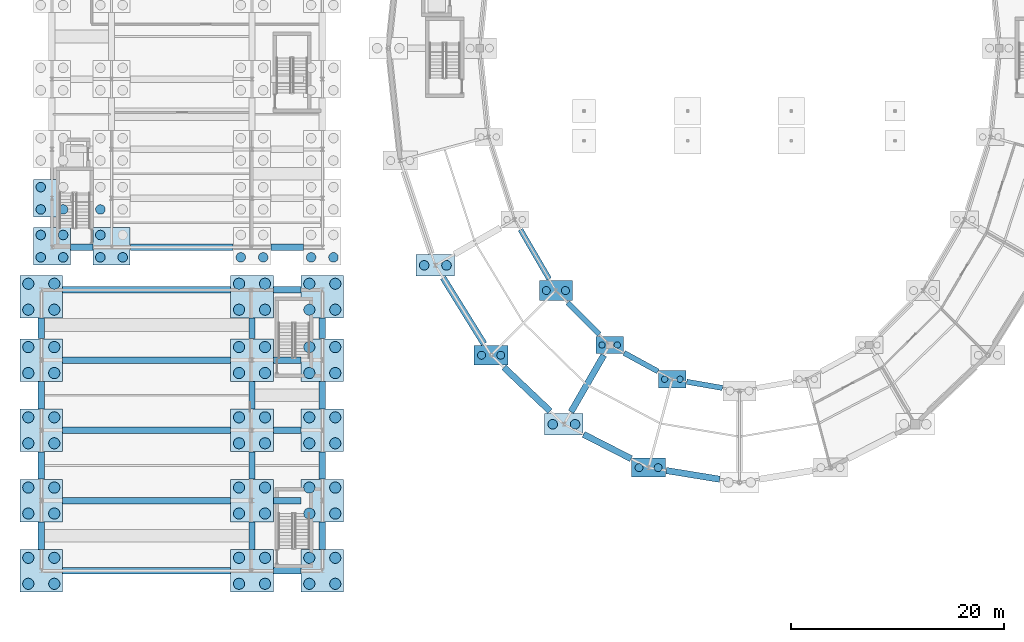
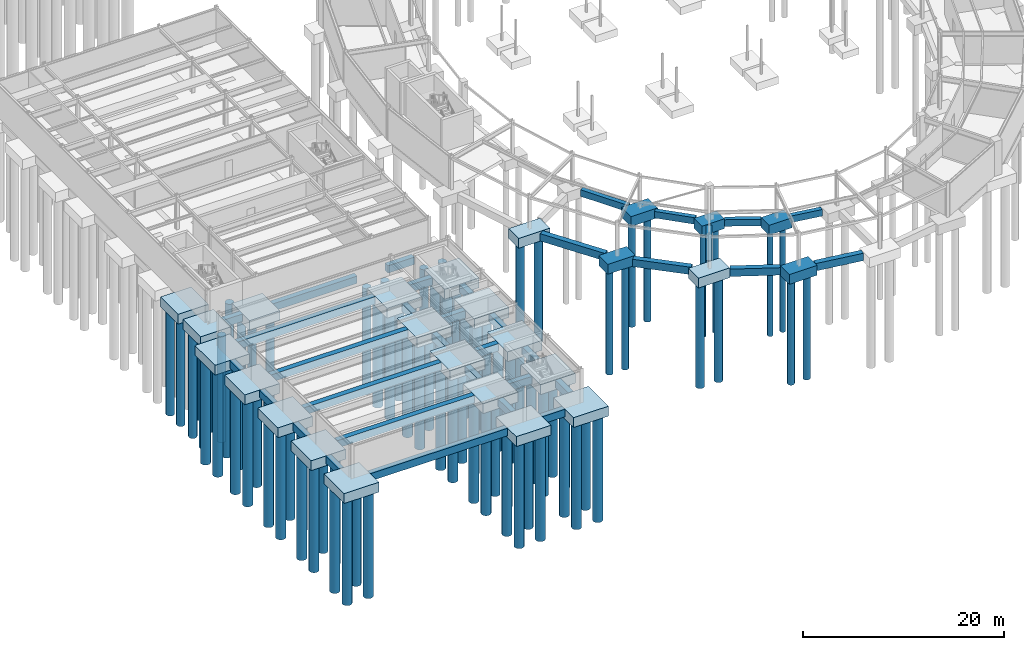
# One storey, part 1 of 58: 89 piles, 59 footings.
"""IFC4 building model written with IfcOpenShell, lengths in metres."""

from ifc_helpers import new_model, si_unit, direction, frame, origin, origin_2d, place, context, subcontext, project, spatial, rectangle, circle, extrude, material, material_profile, profile_set, type_object, element, save


model = new_model("IFC4")

# Units and contexts
model_context = context("Model", 3, precision=1e-05, world=origin(), true_north=direction((0.0, 1.0)))
body_context = subcontext(model_context, "Body", "Model", "MODEL_VIEW")
ifc_project = project(units=[si_unit("LENGTHUNIT", "METRE"), si_unit("AREAUNIT", "SQUARE_METRE"), si_unit("VOLUMEUNIT", "CUBIC_METRE"), si_unit("PLANEANGLEUNIT", "RADIAN"), si_unit("MASSUNIT", "GRAM", prefix="KILO")], contexts=[model_context])

# Site, building, storey
site_placement = place(None, origin())
site = spatial("IfcSite", under=ifc_project, at=site_placement, CompositionType="ELEMENT")
building_placement = place(site_placement, origin())
building = spatial("IfcBuilding", under=site, at=building_placement, Name="Karori Crest Natural Sciences Institute", CompositionType="ELEMENT")
storey_placement = place(building_placement, frame((0.0, 0.0, -4.199951171875)))
storey = spatial("IfcBuildingStorey", under=building, at=storey_placement, Name="B1", CompositionType="ELEMENT", Elevation=-4.199951171875)

# Footings
ifc_material = material(Name="Concrete 40 MPa", Category="concrete")
footing_type_1 = type_object("IfcFootingType", Name="FT-02", PredefinedType="PILE_CAP", material=ifc_material)
for number, where, z_axis, x_axis, name in (
    (1, (54.199951171875, 22.013916015625, -1.2001953125), (0.0, 0.0, 1.0), (1.0, 0.0, 0.0), "Pile cap PC-0034"),
    (2, (60.084716796875, 18.797119140625, -1.2001953125), (0.0, 0.0, 1.0), (1.0, 0.0, 0.0), "Pile cap PC-0036"),
):
    element("IfcFooting", number, at=place(storey_placement, frame(where, z_axis=z_axis, x_axis=x_axis)), inside=storey, type_object=footing_type_1, Name=name, PredefinedType="PILE_CAP", context=body_context, shape_type="SweptSolid", body=[
        extrude(rectangle(XDim=2.60009765625, YDim=1.60009765625, at=origin_2d()), origin(), (0.0, 0.0, 1.0), 1.199951171875),
    ])
footing_type_2 = type_object("IfcFootingType", Name="FT-03", PredefinedType="PILE_CAP", material=ifc_material)
footing_1_placement = place(storey_placement, frame((49.146484375, 27.131103515625, -1.2001953125), z_axis=(0.0, 0.0, 1.0), x_axis=(1.0, 0.0, 0.0)))
element("IfcFooting", 3, at=footing_1_placement, inside=storey, type_object=footing_type_2, Name="Pile cap PC-0032", PredefinedType="PILE_CAP", context=body_context, shape_type="SweptSolid", body=[
    extrude(rectangle(XDim=3.10009765625, YDim=1.89990234375, at=origin_2d()), origin(), (0.0, 0.0, 1.0), 1.199951171875),
])
footing_type_3 = type_object("IfcFootingType", Name="FT-04", PredefinedType="PILE_CAP", material=ifc_material)
for number, where, z_axis, x_axis, name in (
    (4, (1.800048828125, 31.300048828125, -1.2001953125), (0.0, 0.0, 1.0), (1.0, 0.0, 0.0), "Pile cap PC-0080"),
    (5, (1.800048828125, 35.800048828125, -1.2001953125), (0.0, 0.0, 1.0), (1.0, 0.0, 0.0), "Pile cap PC-0081"),
    (6, (7.39990234375, 31.300048828125, -1.2001953125), (0.0, 0.0, 1.0), (1.0, 0.0, 0.0), "Pile cap PC-0088"),
):
    element("IfcFooting", number, at=place(storey_placement, frame(where, z_axis=z_axis, x_axis=x_axis)), inside=storey, type_object=footing_type_3, Name=name, PredefinedType="PILE_CAP", context=body_context, shape_type="SweptSolid", body=[
        extrude(rectangle(XDim=3.5, YDim=3.5, at=origin_2d()), origin(), (0.0, 0.0, 1.0), 1.199951171875),
    ])
footing_type_4 = type_object("IfcFootingType", Name="FT-05", PredefinedType="PILE_CAP", material=ifc_material)
for number, where, z_axis, x_axis, name in (
    (7, (0.800048828125, 0.800048828125, -1.2001953125), (0.0, 0.0, 1.0), (1.0, 0.0, 0.0), "Pile cap PC-0065"),
    (8, (0.800048828125, 7.39990234375, -1.2001953125), (0.0, 0.0, 1.0), (1.0, 0.0, 0.0), "Pile cap PC-0066"),
    (9, (0.800048828125, 14.0, -1.2001953125), (0.0, 0.0, 1.0), (1.0, 0.0, 0.0), "Pile cap PC-0067"),
    (10, (0.800048828125, 20.60009765625, -1.2001953125), (0.0, 0.0, 1.0), (1.0, 0.0, 0.0), "Pile cap PC-0068"),
    (11, (0.800048828125, 26.550048828125, -1.2001953125), (0.0, 0.0, 1.0), (1.0, 0.0, 0.0), "Pile cap PC-0069"),
    (12, (20.60009765625, 0.800048828125, -1.2001953125), (0.0, 0.0, 1.0), (1.0, 0.0, 0.0), "Pile cap PC-0070"),
    (13, (20.60009765625, 7.39990234375, -1.2001953125), (0.0, 0.0, 1.0), (1.0, 0.0, 0.0), "Pile cap PC-0071"),
    (14, (20.60009765625, 14.0, -1.2001953125), (0.0, 0.0, 1.0), (1.0, 0.0, 0.0), "Pile cap PC-0072"),
    (15, (20.60009765625, 20.60009765625, -1.2001953125), (0.0, 0.0, 1.0), (1.0, 0.0, 0.0), "Pile cap PC-0073"),
    (16, (20.60009765625, 26.550048828125, -1.2001953125), (0.0, 0.0, 1.0), (1.0, 0.0, 0.0), "Pile cap PC-0074"),
    (17, (27.199951171875, 0.800048828125, -1.2001953125), (0.0, 0.0, 1.0), (1.0, 0.0, 0.0), "Pile cap PC-0075"),
    (18, (27.199951171875, 7.39990234375, -1.2001953125), (0.0, 0.0, 1.0), (1.0, 0.0, 0.0), "Pile cap PC-0076"),
    (19, (27.199951171875, 14.0, -1.2001953125), (0.0, 0.0, 1.0), (1.0, 0.0, 0.0), "Pile cap PC-0077"),
    (20, (27.199951171875, 20.60009765625, -1.2001953125), (0.0, 0.0, 1.0), (1.0, 0.0, 0.0), "Pile cap PC-0078"),
    (21, (27.199951171875, 26.550048828125, -1.2001953125), (0.0, 0.0, 1.0), (1.0, 0.0, 0.0), "Pile cap PC-0079"),
):
    element("IfcFooting", number, at=place(storey_placement, frame(where, z_axis=z_axis, x_axis=x_axis)), inside=storey, type_object=footing_type_4, Name=name, PredefinedType="PILE_CAP", context=body_context, shape_type="SweptSolid", body=[
        extrude(rectangle(XDim=4.0, YDim=4.0, at=origin_2d()), origin(), (0.0, 0.0, 1.0), 1.199951171875),
    ])
footing_type_5 = type_object("IfcFootingType", Name="FT-07", PredefinedType="PILE_CAP", material=ifc_material)
for number, where, z_axis, x_axis, name in (
    (22, (43.0654296875, 21.050048828125, -1.2001953125), (0.0, 0.0, 1.0), (1.0, 0.0, 0.0), "Pile cap PC-0031"),
    (23, (57.85888671875, 10.490234375, -1.2001953125), (0.0, 0.0, 1.0), (1.0, 0.0, 0.0), "Pile cap PC-0035"),
):
    element("IfcFooting", number, at=place(storey_placement, frame(where, z_axis=z_axis, x_axis=x_axis)), inside=storey, type_object=footing_type_5, Name=name, PredefinedType="PILE_CAP", context=body_context, shape_type="SweptSolid", body=[
        extrude(rectangle(XDim=3.199951171875, YDim=1.800048828125, at=origin_2d()), origin(), (0.0, 0.0, 1.0), 1.199951171875),
    ])
footing_type_6 = type_object("IfcFootingType", Name="FT-08", PredefinedType="PILE_CAP", material=ifc_material)
for number, where, z_axis, x_axis, name in (
    (24, (37.8212890625, 29.5, -1.2001953125), (0.0, 0.0, 1.0), (1.0, 0.0, 0.0), "Pile cap PC-0029"),
    (25, (49.89990234375, 14.566162109375, -1.2001953125), (0.0, 0.0, 1.0), (1.0, 0.0, 0.0), "Pile cap PC-0033"),
):
    element("IfcFooting", number, at=place(storey_placement, frame(where, z_axis=z_axis, x_axis=x_axis)), inside=storey, type_object=footing_type_6, Name=name, PredefinedType="PILE_CAP", context=body_context, shape_type="SweptSolid", body=[
        extrude(rectangle(XDim=3.60009765625, YDim=2.0, at=origin_2d()), origin(), (0.0, 0.0, 1.0), 1.199951171875),
    ])
footing_type_7 = type_object("IfcFootingType", Name="FT-16", PredefinedType="FOOTING_BEAM", material=ifc_material)
footing_2_placement = place(storey_placement, frame((40.474365234375, 25.22509765625, -0.89990234375), z_axis=(0.0, 0.0, 1.0), x_axis=(-0.527325098025, 0.849663604606, 0.0)))
element("IfcFooting", 26, at=footing_2_placement, inside=storey, type_object=footing_type_7, Name="Ground beam FB-0036", PredefinedType="FOOTING_BEAM", context=body_context, shape_type="SweptSolid", body=[
    extrude(rectangle(XDim=7.31005859375, YDim=0.60009765625, at=origin_2d()), origin(), (0.0, 0.0, 1.0), 0.89990234375),
])
footing_3_placement = place(storey_placement, frame((46.429931640625, 17.858154296875, -0.89990234375), z_axis=(0.0, 0.0, 1.0), x_axis=(-0.725475281268, 0.688248222859, 0.0)))
element("IfcFooting", 27, at=footing_3_placement, inside=storey, type_object=footing_type_7, Name="Ground beam FB-0039", PredefinedType="FOOTING_BEAM", context=body_context, shape_type="SweptSolid", body=[
    extrude(rectangle(XDim=5.996826171875, YDim=0.60009765625, at=origin_2d()), origin(), (0.0, 0.0, 1.0), 0.89990234375),
])
footing_4_placement = place(storey_placement, frame((53.9794921875, 12.47705078125, -0.89990234375), z_axis=(0.0, 0.0, 1.0), x_axis=(-0.890068851465, 0.455826106813, 0.0)))
element("IfcFooting", 28, at=footing_4_placement, inside=storey, type_object=footing_type_7, Name="Ground beam FB-0041", PredefinedType="FOOTING_BEAM", context=body_context, shape_type="SweptSolid", body=[
    extrude(rectangle(XDim=5.024169921875, YDim=0.60009765625, at=origin_2d()), origin(), (0.0, 0.0, 1.0), 0.89990234375),
])
footing_5_placement = place(storey_placement, frame((52.107666015625, 18.39013671875, -0.89990234375), z_axis=(0.0, 0.0, 1.0), x_axis=(0.500001511499, 0.866024531118, 0.0)))
element("IfcFooting", 29, at=footing_5_placement, inside=storey, type_object=footing_type_7, Name="Ground beam FB-0043", PredefinedType="FOOTING_BEAM", context=body_context, shape_type="SweptSolid", body=[
    extrude(rectangle(XDim=6.14306640625, YDim=0.60009765625, at=origin_2d()), origin(), (0.0, 0.0, 1.0), 0.89990234375),
])
footing_6_placement = place(storey_placement, frame((62.029541015625, 9.811279296875, -0.89990234375), z_axis=(0.0, 0.0, 1.0), x_axis=(-0.987010951028, 0.160652987993, 0.0)))
element("IfcFooting", 30, at=footing_6_placement, inside=storey, type_object=footing_type_7, Name="Ground beam FB-0044", PredefinedType="FOOTING_BEAM", context=body_context, shape_type="SweptSolid", body=[
    extrude(rectangle(XDim=5.09228515625, YDim=0.60009765625, at=origin_2d()), origin(), (0.0, 0.0, 1.0), 0.89990234375),
])
footing_7_placement = place(storey_placement, frame((10.695068359375, 0.800048828125, -0.89990234375), z_axis=(0.0, 0.0, 1.0), x_axis=(1.0, 0.0, 0.0)))
element("IfcFooting", 31, at=footing_7_placement, inside=storey, type_object=footing_type_7, Name="Ground beam FB-0061", PredefinedType="FOOTING_BEAM", context=body_context, shape_type="SweptSolid", body=[
    extrude(rectangle(XDim=15.77392578125, YDim=0.60009765625, at=origin_2d()), origin(), (0.0, 0.0, 1.0), 0.89990234375),
])
footing_8_placement = place(storey_placement, frame((0.800048828125, 4.10009765625, -0.89990234375), z_axis=(0.0, 0.0, 1.0), x_axis=(0.0, 1.0, 0.0)))
element("IfcFooting", 32, at=footing_8_placement, inside=storey, type_object=footing_type_7, Name="Ground beam FB-0062", PredefinedType="FOOTING_BEAM", context=body_context, shape_type="SweptSolid", body=[
    extrude(rectangle(XDim=2.583984375, YDim=0.60009765625, at=origin_2d()), origin(), (0.0, 0.0, 1.0), 0.89990234375),
])
footing_9_placement = place(storey_placement, frame((10.695068359375, 7.39990234375, -0.89990234375), z_axis=(0.0, 0.0, 1.0), x_axis=(1.0, 0.0, 0.0)))
element("IfcFooting", 33, at=footing_9_placement, inside=storey, type_object=footing_type_7, Name="Ground beam FB-0063", PredefinedType="FOOTING_BEAM", context=body_context, shape_type="SweptSolid", body=[
    extrude(rectangle(XDim=15.77392578125, YDim=0.60009765625, at=origin_2d()), origin(), (0.0, 0.0, 1.0), 0.89990234375),
])
footing_10_placement = place(storey_placement, frame((0.800048828125, 10.699951171875, -0.89990234375), z_axis=(0.0, 0.0, 1.0), x_axis=(0.0, 1.0, 0.0)))
element("IfcFooting", 34, at=footing_10_placement, inside=storey, type_object=footing_type_7, Name="Ground beam FB-0064", PredefinedType="FOOTING_BEAM", context=body_context, shape_type="SweptSolid", body=[
    extrude(rectangle(XDim=2.56396484375, YDim=0.60009765625, at=origin_2d()), origin(), (0.0, 0.0, 1.0), 0.89990234375),
])
footing_11_placement = place(storey_placement, frame((10.695068359375, 14.0, -0.89990234375), z_axis=(0.0, 0.0, 1.0), x_axis=(1.0, 0.0, 0.0)))
element("IfcFooting", 35, at=footing_11_placement, inside=storey, type_object=footing_type_7, Name="Ground beam FB-0065", PredefinedType="FOOTING_BEAM", context=body_context, shape_type="SweptSolid", body=[
    extrude(rectangle(XDim=15.77392578125, YDim=0.60009765625, at=origin_2d()), origin(), (0.0, 0.0, 1.0), 0.89990234375),
])
footing_12_placement = place(storey_placement, frame((0.800048828125, 17.300048828125, -0.89990234375), z_axis=(0.0, 0.0, 1.0), x_axis=(0.0, 1.0, 0.0)))
element("IfcFooting", 36, at=footing_12_placement, inside=storey, type_object=footing_type_7, Name="Ground beam FB-0066", PredefinedType="FOOTING_BEAM", context=body_context, shape_type="SweptSolid", body=[
    extrude(rectangle(XDim=2.56396484375, YDim=0.60009765625, at=origin_2d()), origin(), (0.0, 0.0, 1.0), 0.89990234375),
])
footing_13_placement = place(storey_placement, frame((10.695068359375, 20.60009765625, -0.89990234375), z_axis=(0.0, 0.0, 1.0), x_axis=(1.0, 0.0, 0.0)))
element("IfcFooting", 37, at=footing_13_placement, inside=storey, type_object=footing_type_7, Name="Ground beam FB-0067", PredefinedType="FOOTING_BEAM", context=body_context, shape_type="SweptSolid", body=[
    extrude(rectangle(XDim=15.77392578125, YDim=0.60009765625, at=origin_2d()), origin(), (0.0, 0.0, 1.0), 0.89990234375),
])
footing_14_placement = place(storey_placement, frame((0.800048828125, 23.574951171875, -0.89990234375), z_axis=(0.0, 0.0, 1.0), x_axis=(0.0, 1.0, 0.0)))
element("IfcFooting", 38, at=footing_14_placement, inside=storey, type_object=footing_type_7, Name="Ground beam FB-0068", PredefinedType="FOOTING_BEAM", context=body_context, shape_type="SweptSolid", body=[
    extrude(rectangle(XDim=1.9140625, YDim=0.60009765625, at=origin_2d()), origin(), (0.0, 0.0, 1.0), 0.89990234375),
])
footing_15_placement = place(storey_placement, frame((10.695068359375, 27.199951171875, -0.89990234375), z_axis=(0.0, 0.0, 1.0), x_axis=(1.0, 0.0, 0.0)))
element("IfcFooting", 39, at=footing_15_placement, inside=storey, type_object=footing_type_7, Name="Ground beam FB-0069", PredefinedType="FOOTING_BEAM", context=body_context, shape_type="SweptSolid", body=[
    extrude(rectangle(XDim=15.77392578125, YDim=0.60009765625, at=origin_2d()), origin(), (0.0, 0.0, 1.0), 0.89990234375),
])
footing_16_placement = place(storey_placement, frame((23.89990234375, 0.800048828125, -0.89990234375), z_axis=(0.0, 0.0, 1.0), x_axis=(1.0, 0.0, 0.0)))
element("IfcFooting", 40, at=footing_16_placement, inside=storey, type_object=footing_type_7, Name="Ground beam FB-0070", PredefinedType="FOOTING_BEAM", context=body_context, shape_type="SweptSolid", body=[
    extrude(rectangle(XDim=2.56396484375, YDim=0.60009765625, at=origin_2d()), origin(), (0.0, 0.0, 1.0), 0.89990234375),
])
footing_17_placement = place(storey_placement, frame((20.60009765625, 4.10009765625, -0.89990234375), z_axis=(0.0, 0.0, 1.0), x_axis=(0.0, 1.0, 0.0)))
element("IfcFooting", 41, at=footing_17_placement, inside=storey, type_object=footing_type_7, Name="Ground beam FB-0071", PredefinedType="FOOTING_BEAM", context=body_context, shape_type="SweptSolid", body=[
    extrude(rectangle(XDim=2.583984375, YDim=0.60009765625, at=origin_2d()), origin(), (0.0, 0.0, 1.0), 0.89990234375),
])
for number, where, z_axis, x_axis, name in (
    (42, (23.89990234375, 7.39990234375, -0.89990234375), (0.0, 0.0, 1.0), (1.0, 0.0, 0.0), "Ground beam FB-0072"),
    (43, (20.60009765625, 10.699951171875, -0.89990234375), (0.0, 0.0, 1.0), (0.0, 1.0, 0.0), "Ground beam FB-0073"),
    (44, (23.89990234375, 14.0, -0.89990234375), (0.0, 0.0, 1.0), (1.0, 0.0, 0.0), "Ground beam FB-0074"),
    (45, (20.60009765625, 17.300048828125, -0.89990234375), (0.0, 0.0, 1.0), (0.0, 1.0, 0.0), "Ground beam FB-0075"),
    (46, (23.89990234375, 20.60009765625, -0.89990234375), (0.0, 0.0, 1.0), (1.0, 0.0, 0.0), "Ground beam FB-0076"),
):
    element("IfcFooting", number, at=place(storey_placement, frame(where, z_axis=z_axis, x_axis=x_axis)), inside=storey, type_object=footing_type_7, Name=name, PredefinedType="FOOTING_BEAM", context=body_context, shape_type="SweptSolid", body=[
        extrude(rectangle(XDim=2.56396484375, YDim=0.60009765625, at=origin_2d()), origin(), (0.0, 0.0, 1.0), 0.89990234375),
    ])
footing_18_placement = place(storey_placement, frame((20.60009765625, 23.574951171875, -0.89990234375), z_axis=(0.0, 0.0, 1.0), x_axis=(0.0, 1.0, 0.0)))
element("IfcFooting", 47, at=footing_18_placement, inside=storey, type_object=footing_type_7, Name="Ground beam FB-0077", PredefinedType="FOOTING_BEAM", context=body_context, shape_type="SweptSolid", body=[
    extrude(rectangle(XDim=1.9140625, YDim=0.60009765625, at=origin_2d()), origin(), (0.0, 0.0, 1.0), 0.89990234375),
])
footing_19_placement = place(storey_placement, frame((23.89990234375, 27.199951171875, -0.89990234375), z_axis=(0.0, 0.0, 1.0), x_axis=(1.0, 0.0, 0.0)))
element("IfcFooting", 48, at=footing_19_placement, inside=storey, type_object=footing_type_7, Name="Ground beam FB-0078", PredefinedType="FOOTING_BEAM", context=body_context, shape_type="SweptSolid", body=[
    extrude(rectangle(XDim=2.56396484375, YDim=0.60009765625, at=origin_2d()), origin(), (0.0, 0.0, 1.0), 0.89990234375),
])
footing_20_placement = place(storey_placement, frame((27.199951171875, 4.10009765625, -0.89990234375), z_axis=(0.0, 0.0, 1.0), x_axis=(0.0, 1.0, 0.0)))
element("IfcFooting", 49, at=footing_20_placement, inside=storey, type_object=footing_type_7, Name="Ground beam FB-0079", PredefinedType="FOOTING_BEAM", context=body_context, shape_type="SweptSolid", body=[
    extrude(rectangle(XDim=2.583984375, YDim=0.60009765625, at=origin_2d()), origin(), (0.0, 0.0, 1.0), 0.89990234375),
])
for number, where, z_axis, x_axis, name in (
    (50, (27.199951171875, 10.699951171875, -0.89990234375), (0.0, 0.0, 1.0), (0.0, 1.0, 0.0), "Ground beam FB-0080"),
    (51, (27.199951171875, 17.300048828125, -0.89990234375), (0.0, 0.0, 1.0), (0.0, 1.0, 0.0), "Ground beam FB-0081"),
):
    element("IfcFooting", number, at=place(storey_placement, frame(where, z_axis=z_axis, x_axis=x_axis)), inside=storey, type_object=footing_type_7, Name=name, PredefinedType="FOOTING_BEAM", context=body_context, shape_type="SweptSolid", body=[
        extrude(rectangle(XDim=2.56396484375, YDim=0.60009765625, at=origin_2d()), origin(), (0.0, 0.0, 1.0), 0.89990234375),
    ])
footing_21_placement = place(storey_placement, frame((27.199951171875, 23.574951171875, -0.89990234375), z_axis=(0.0, 0.0, 1.0), x_axis=(0.0, 1.0, 0.0)))
element("IfcFooting", 52, at=footing_21_placement, inside=storey, type_object=footing_type_7, Name="Ground beam FB-0082", PredefinedType="FOOTING_BEAM", context=body_context, shape_type="SweptSolid", body=[
    extrude(rectangle(XDim=1.9140625, YDim=0.60009765625, at=origin_2d()), origin(), (0.0, 0.0, 1.0), 0.89990234375),
])
footing_22_placement = place(storey_placement, frame((4.60009765625, 31.199951171875, -0.89990234375), z_axis=(0.0, 0.0, 1.0), x_axis=(1.0, 0.0, 0.0)))
element("IfcFooting", 53, at=footing_22_placement, inside=storey, type_object=footing_type_7, Name="Ground beam FB-0083", PredefinedType="FOOTING_BEAM", context=body_context, shape_type="SweptSolid", body=[
    extrude(rectangle(XDim=2.083984375, YDim=0.60009765625, at=origin_2d()), origin(), (0.0, 0.0, 1.0), 0.89990234375),
])
footing_23_placement = place(storey_placement, frame((14.0, 31.199951171875, -0.89990234375), z_axis=(0.0, 0.0, 1.0), x_axis=(1.0, 0.0, 0.0)))
element("IfcFooting", 54, at=footing_23_placement, inside=storey, type_object=footing_type_7, Name="Ground beam FB-0096", PredefinedType="FOOTING_BEAM", context=body_context, shape_type="SweptSolid", body=[
    extrude(rectangle(XDim=9.6640625, YDim=0.60009765625, at=origin_2d()), origin(), (0.0, 0.0, 1.0), 0.89990234375),
])
footing_24_placement = place(storey_placement, frame((23.89990234375, 31.199951171875, -0.89990234375), z_axis=(0.0, 0.0, 1.0), x_axis=(1.0, 0.0, 0.0)))
element("IfcFooting", 55, at=footing_24_placement, inside=storey, type_object=footing_type_7, Name="Ground beam FB-0109", PredefinedType="FOOTING_BEAM", context=body_context, shape_type="SweptSolid", body=[
    extrude(rectangle(XDim=3.06396484375, YDim=0.60009765625, at=origin_2d()), origin(), (0.0, 0.0, 1.0), 0.89990234375),
])
footing_type_8 = type_object("IfcFootingType", Name="FT-17", PredefinedType="FOOTING_BEAM", material=ifc_material)
footing_25_placement = place(storey_placement, frame((47.164306640625, 30.54052734375, -0.80029296875), z_axis=(0.0, 0.0, 1.0), x_axis=(-0.502657875929, 0.864485430627, 0.0)))
element("IfcFooting", 56, at=footing_25_placement, inside=storey, type_object=footing_type_8, Name="Ground beam FB-0037", PredefinedType="FOOTING_BEAM", context=body_context, shape_type="SweptSolid", body=[
    extrude(rectangle(XDim=5.371337890625, YDim=0.5, at=origin_2d()), origin(), (0.0, 0.0, 1.0), 0.800048828125),
])
footing_26_placement = place(storey_placement, frame((51.747314453125, 24.49755859375, -0.80029296875), z_axis=(0.0, 0.0, 1.0), x_axis=(-0.702657420945, 0.711528319037, 0.0)))
element("IfcFooting", 57, at=footing_26_placement, inside=storey, type_object=footing_type_8, Name="Ground beam FB-0040", PredefinedType="FOOTING_BEAM", context=body_context, shape_type="SweptSolid", body=[
    extrude(rectangle(XDim=4.2099609375, YDim=0.5, at=origin_2d()), origin(), (0.0, 0.0, 1.0), 0.800048828125),
])
footing_27_placement = place(storey_placement, frame((57.142333984375, 20.405517578125, -0.80029296875), z_axis=(0.0, 0.0, 1.0), x_axis=(-0.877461955643, 0.479646240889, 0.0)))
element("IfcFooting", 58, at=footing_27_placement, inside=storey, type_object=footing_type_8, Name="Ground beam FB-0042", PredefinedType="FOOTING_BEAM", context=body_context, shape_type="SweptSolid", body=[
    extrude(rectangle(XDim=3.625244140625, YDim=0.5, at=origin_2d()), origin(), (0.0, 0.0, 1.0), 0.800048828125),
])
footing_28_placement = place(storey_placement, frame((63.117431640625, 18.270263671875, -0.80029296875), z_axis=(0.0, 0.0, 1.0), x_axis=(-0.985240470223, 0.171175979142, 0.0)))
element("IfcFooting", 59, at=footing_28_placement, inside=storey, type_object=footing_type_8, Name="Ground beam FB-0045", PredefinedType="FOOTING_BEAM", context=body_context, shape_type="SweptSolid", body=[
    extrude(rectangle(XDim=3.40087890625, YDim=0.5, at=origin_2d()), origin(), (0.0, 0.0, 1.0), 0.800048828125),
])

# Piles
ifc_material_profile_1 = material_profile(ifc_material, circle(Radius=0.300048828125, at=origin_2d()), Name="PILE600")
ifc_profile_set_1 = profile_set([ifc_material_profile_1], Name="Concrete 40 MPa")
pile_type_1 = type_object("IfcPileType", Name="PT-01", PredefinedType="BORED", material=ifc_profile_set_1)
for number, where, z_axis, x_axis, name in (
    (60, (53.47998046875, 22.013916015625, -1.10009765625), (0.0, 0.0, -1.0), (1.0, 0.0, 0.0), "Bored pile PL-0067"),
    (61, (54.919921875, 22.013916015625, -1.10009765625), (0.0, 0.0, -1.0), (1.0, 0.0, 0.0), "Bored pile PL-0068"),
    (62, (59.36474609375, 18.797119140625, -1.10009765625), (0.0, 0.0, -1.0), (1.0, 0.0, 0.0), "Bored pile PL-0071"),
    (63, (60.8046875, 18.797119140625, -1.10009765625), (0.0, 0.0, -1.0), (1.0, 0.0, 0.0), "Bored pile PL-0072"),
):
    element("IfcPile", number, at=place(storey_placement, frame(where, z_axis=z_axis, x_axis=x_axis)), inside=storey, type_object=pile_type_1, Name=name, PredefinedType="BORED", context=body_context, shape_type="SweptSolid", body=[
        extrude(circle(Radius=0.300048828125, at=origin_2d()), origin(), (0.0, 0.0, 1.0), 12.89990234375),
    ])
ifc_material_profile_2 = material_profile(ifc_material, circle(Radius=0.375, at=origin_2d()), Name="PILE750")
ifc_profile_set_2 = profile_set([ifc_material_profile_2], Name="Concrete 40 MPa")
pile_type_2 = type_object("IfcPileType", Name="PT-02", PredefinedType="BORED", material=ifc_profile_set_2)
for number, where, z_axis, x_axis, name in (
    (64, (42.16552734375, 21.050048828125, -1.10009765625), (0.0, 0.0, -1.0), (1.0, 0.0, 0.0), "Bored pile PL-0061"),
    (65, (43.965576171875, 21.050048828125, -1.10009765625), (0.0, 0.0, -1.0), (1.0, 0.0, 0.0), "Bored pile PL-0062"),
    (66, (48.24658203125, 27.131103515625, -1.10009765625), (0.0, 0.0, -1.0), (1.0, 0.0, 0.0), "Bored pile PL-0063"),
    (67, (50.046630859375, 27.131103515625, -1.10009765625), (0.0, 0.0, -1.0), (1.0, 0.0, 0.0), "Bored pile PL-0064"),
    (68, (56.958984375, 10.490234375, -1.10009765625), (0.0, 0.0, -1.0), (1.0, 0.0, 0.0), "Bored pile PL-0069"),
    (69, (58.759033203125, 10.490234375, -1.10009765625), (0.0, 0.0, -1.0), (1.0, 0.0, 0.0), "Bored pile PL-0070"),
):
    element("IfcPile", number, at=place(storey_placement, frame(where, z_axis=z_axis, x_axis=x_axis)), inside=storey, type_object=pile_type_2, Name=name, PredefinedType="BORED", context=body_context, shape_type="SweptSolid", body=[
        extrude(circle(Radius=0.375, at=origin_2d()), origin(), (0.0, 0.0, 1.0), 12.89990234375),
    ])
ifc_material_profile_3 = material_profile(ifc_material, circle(Radius=0.449951171875, at=origin_2d()), Name="PILE900")
ifc_profile_set_3 = profile_set([ifc_material_profile_3], Name="Concrete 40 MPa")
pile_type_3 = type_object("IfcPileType", Name="PT-03", PredefinedType="BORED", material=ifc_profile_set_3)
for number, where, z_axis, x_axis, name in (
    (70, (36.771240234375, 29.5, -1.10009765625), (0.0, 0.0, -1.0), (1.0, 0.0, 0.0), "Bored pile PL-0057"),
    (71, (38.87109375, 29.5, -1.10009765625), (0.0, 0.0, -1.0), (1.0, 0.0, 0.0), "Bored pile PL-0058"),
    (72, (48.85009765625, 14.566162109375, -1.10009765625), (0.0, 0.0, -1.0), (1.0, 0.0, 0.0), "Bored pile PL-0065"),
    (73, (50.949951171875, 14.566162109375, -1.10009765625), (0.0, 0.0, -1.0), (1.0, 0.0, 0.0), "Bored pile PL-0066"),
    (74, (0.75, 30.25, -1.10009765625), (0.0, 0.0, -1.0), (1.0, 0.0, 0.0), "Bored pile PL-0157"),
    (75, (2.85009765625, 30.25, -1.10009765625), (0.0, 0.0, -1.0), (1.0, 0.0, 0.0), "Bored pile PL-0158"),
    (76, (0.75, 32.35009765625, -1.10009765625), (0.0, 0.0, -1.0), (1.0, 0.0, 0.0), "Bored pile PL-0159"),
    (77, (2.85009765625, 32.35009765625, -1.10009765625), (0.0, 0.0, -1.0), (1.0, 0.0, 0.0), "Bored pile PL-0160"),
    (78, (0.75, 34.75, -1.10009765625), (0.0, 0.0, -1.0), (1.0, 0.0, 0.0), "Bored pile PL-0161"),
    (79, (2.85009765625, 34.75, -1.10009765625), (0.0, 0.0, -1.0), (1.0, 0.0, 0.0), "Bored pile PL-0162"),
    (80, (0.75, 36.85009765625, -1.10009765625), (0.0, 0.0, -1.0), (1.0, 0.0, 0.0), "Bored pile PL-0163"),
    (81, (6.35009765625, 30.25, -1.10009765625), (0.0, 0.0, -1.0), (1.0, 0.0, 0.0), "Bored pile PL-0189"),
    (82, (8.449951171875, 30.25, -1.10009765625), (0.0, 0.0, -1.0), (1.0, 0.0, 0.0), "Bored pile PL-0190"),
    (83, (6.35009765625, 32.35009765625, -1.10009765625), (0.0, 0.0, -1.0), (1.0, 0.0, 0.0), "Bored pile PL-0191"),
    (84, (6.35009765625, 34.75, -1.10009765625), (0.0, 0.0, -1.0), (1.0, 0.0, 0.0), "Bored pile PL-0193"),
    (85, (19.550048828125, 30.25, -1.10009765625), (0.0, 0.0, -1.0), (1.0, 0.0, 0.0), "Bored pile PL-0221"),
    (86, (21.64990234375, 30.25, -1.10009765625), (0.0, 0.0, -1.0), (1.0, 0.0, 0.0), "Bored pile PL-0222"),
    (87, (26.14990234375, 30.25, -1.10009765625), (0.0, 0.0, -1.0), (1.0, 0.0, 0.0), "Bored pile PL-0253"),
    (88, (28.25, 30.25, -1.10009765625), (0.0, 0.0, -1.0), (1.0, 0.0, 0.0), "Bored pile PL-0254"),
):
    element("IfcPile", number, at=place(storey_placement, frame(where, z_axis=z_axis, x_axis=x_axis)), inside=storey, type_object=pile_type_3, Name=name, PredefinedType="BORED", context=body_context, shape_type="SweptSolid", body=[
        extrude(circle(Radius=0.449951171875, at=origin_2d()), origin(), (0.0, 0.0, 1.0), 12.89990234375),
    ])
ifc_material_profile_4 = material_profile(ifc_material, circle(Radius=0.52490234375, at=origin_2d()), Name="PILE1050")
ifc_profile_set_4 = profile_set([ifc_material_profile_4], Name="Concrete 40 MPa")
pile_type_4 = type_object("IfcPileType", Name="PT-04", PredefinedType="BORED", material=ifc_profile_set_4)
for number, where, z_axis, x_axis, name in (
    (89, (-0.419921875, -0.419921875, -1.10009765625), (0.0, 0.0, -1.0), (1.0, 0.0, 0.0), "Bored pile PL-0097"),
    (90, (2.02001953125, -0.419921875, -1.10009765625), (0.0, 0.0, -1.0), (1.0, 0.0, 0.0), "Bored pile PL-0098"),
    (91, (-0.419921875, 2.02001953125, -1.10009765625), (0.0, 0.0, -1.0), (1.0, 0.0, 0.0), "Bored pile PL-0099"),
    (92, (2.02001953125, 2.02001953125, -1.10009765625), (0.0, 0.0, -1.0), (1.0, 0.0, 0.0), "Bored pile PL-0100"),
    (93, (-0.419921875, 6.179931640625, -1.10009765625), (0.0, 0.0, -1.0), (1.0, 0.0, 0.0), "Bored pile PL-0101"),
    (94, (2.02001953125, 6.179931640625, -1.10009765625), (0.0, 0.0, -1.0), (1.0, 0.0, 0.0), "Bored pile PL-0102"),
    (95, (-0.419921875, 8.6201171875, -1.10009765625), (0.0, 0.0, -1.0), (1.0, 0.0, 0.0), "Bored pile PL-0103"),
    (96, (2.02001953125, 8.6201171875, -1.10009765625), (0.0, 0.0, -1.0), (1.0, 0.0, 0.0), "Bored pile PL-0104"),
    (97, (-0.419921875, 12.780029296875, -1.10009765625), (0.0, 0.0, -1.0), (1.0, 0.0, 0.0), "Bored pile PL-0105"),
    (98, (2.02001953125, 12.780029296875, -1.10009765625), (0.0, 0.0, -1.0), (1.0, 0.0, 0.0), "Bored pile PL-0106"),
    (99, (-0.419921875, 15.219970703125, -1.10009765625), (0.0, 0.0, -1.0), (1.0, 0.0, 0.0), "Bored pile PL-0107"),
    (100, (2.02001953125, 15.219970703125, -1.10009765625), (0.0, 0.0, -1.0), (1.0, 0.0, 0.0), "Bored pile PL-0108"),
    (101, (-0.419921875, 19.3798828125, -1.10009765625), (0.0, 0.0, -1.0), (1.0, 0.0, 0.0), "Bored pile PL-0109"),
    (102, (2.02001953125, 19.3798828125, -1.10009765625), (0.0, 0.0, -1.0), (1.0, 0.0, 0.0), "Bored pile PL-0110"),
    (103, (-0.419921875, 21.820068359375, -1.10009765625), (0.0, 0.0, -1.0), (1.0, 0.0, 0.0), "Bored pile PL-0111"),
    (104, (2.02001953125, 21.820068359375, -1.10009765625), (0.0, 0.0, -1.0), (1.0, 0.0, 0.0), "Bored pile PL-0112"),
    (105, (-0.419921875, 25.330078125, -1.10009765625), (0.0, 0.0, -1.0), (1.0, 0.0, 0.0), "Bored pile PL-0113"),
    (106, (2.02001953125, 25.330078125, -1.10009765625), (0.0, 0.0, -1.0), (1.0, 0.0, 0.0), "Bored pile PL-0114"),
    (107, (-0.419921875, 27.77001953125, -1.10009765625), (0.0, 0.0, -1.0), (1.0, 0.0, 0.0), "Bored pile PL-0115"),
    (108, (2.02001953125, 27.77001953125, -1.10009765625), (0.0, 0.0, -1.0), (1.0, 0.0, 0.0), "Bored pile PL-0116"),
    (109, (19.3798828125, -0.419921875, -1.10009765625), (0.0, 0.0, -1.0), (1.0, 0.0, 0.0), "Bored pile PL-0117"),
    (110, (21.820068359375, -0.419921875, -1.10009765625), (0.0, 0.0, -1.0), (1.0, 0.0, 0.0), "Bored pile PL-0118"),
    (111, (19.3798828125, 2.02001953125, -1.10009765625), (0.0, 0.0, -1.0), (1.0, 0.0, 0.0), "Bored pile PL-0119"),
    (112, (21.820068359375, 2.02001953125, -1.10009765625), (0.0, 0.0, -1.0), (1.0, 0.0, 0.0), "Bored pile PL-0120"),
    (113, (19.3798828125, 6.179931640625, -1.10009765625), (0.0, 0.0, -1.0), (1.0, 0.0, 0.0), "Bored pile PL-0121"),
    (114, (21.820068359375, 6.179931640625, -1.10009765625), (0.0, 0.0, -1.0), (1.0, 0.0, 0.0), "Bored pile PL-0122"),
    (115, (19.3798828125, 8.6201171875, -1.10009765625), (0.0, 0.0, -1.0), (1.0, 0.0, 0.0), "Bored pile PL-0123"),
    (116, (21.820068359375, 8.6201171875, -1.10009765625), (0.0, 0.0, -1.0), (1.0, 0.0, 0.0), "Bored pile PL-0124"),
    (117, (19.3798828125, 12.780029296875, -1.10009765625), (0.0, 0.0, -1.0), (1.0, 0.0, 0.0), "Bored pile PL-0125"),
    (118, (21.820068359375, 12.780029296875, -1.10009765625), (0.0, 0.0, -1.0), (1.0, 0.0, 0.0), "Bored pile PL-0126"),
    (119, (19.3798828125, 15.219970703125, -1.10009765625), (0.0, 0.0, -1.0), (1.0, 0.0, 0.0), "Bored pile PL-0127"),
    (120, (21.820068359375, 15.219970703125, -1.10009765625), (0.0, 0.0, -1.0), (1.0, 0.0, 0.0), "Bored pile PL-0128"),
    (121, (19.3798828125, 19.3798828125, -1.10009765625), (0.0, 0.0, -1.0), (1.0, 0.0, 0.0), "Bored pile PL-0129"),
    (122, (21.820068359375, 19.3798828125, -1.10009765625), (0.0, 0.0, -1.0), (1.0, 0.0, 0.0), "Bored pile PL-0130"),
    (123, (19.3798828125, 21.820068359375, -1.10009765625), (0.0, 0.0, -1.0), (1.0, 0.0, 0.0), "Bored pile PL-0131"),
    (124, (21.820068359375, 21.820068359375, -1.10009765625), (0.0, 0.0, -1.0), (1.0, 0.0, 0.0), "Bored pile PL-0132"),
    (125, (19.3798828125, 25.330078125, -1.10009765625), (0.0, 0.0, -1.0), (1.0, 0.0, 0.0), "Bored pile PL-0133"),
    (126, (21.820068359375, 25.330078125, -1.10009765625), (0.0, 0.0, -1.0), (1.0, 0.0, 0.0), "Bored pile PL-0134"),
    (127, (19.3798828125, 27.77001953125, -1.10009765625), (0.0, 0.0, -1.0), (1.0, 0.0, 0.0), "Bored pile PL-0135"),
    (128, (21.820068359375, 27.77001953125, -1.10009765625), (0.0, 0.0, -1.0), (1.0, 0.0, 0.0), "Bored pile PL-0136"),
    (129, (25.97998046875, -0.419921875, -1.10009765625), (0.0, 0.0, -1.0), (1.0, 0.0, 0.0), "Bored pile PL-0137"),
    (130, (28.419921875, -0.419921875, -1.10009765625), (0.0, 0.0, -1.0), (1.0, 0.0, 0.0), "Bored pile PL-0138"),
    (131, (25.97998046875, 2.02001953125, -1.10009765625), (0.0, 0.0, -1.0), (1.0, 0.0, 0.0), "Bored pile PL-0139"),
    (132, (28.419921875, 2.02001953125, -1.10009765625), (0.0, 0.0, -1.0), (1.0, 0.0, 0.0), "Bored pile PL-0140"),
    (133, (25.97998046875, 6.179931640625, -1.10009765625), (0.0, 0.0, -1.0), (1.0, 0.0, 0.0), "Bored pile PL-0141"),
    (134, (28.419921875, 6.179931640625, -1.10009765625), (0.0, 0.0, -1.0), (1.0, 0.0, 0.0), "Bored pile PL-0142"),
    (135, (25.97998046875, 8.6201171875, -1.10009765625), (0.0, 0.0, -1.0), (1.0, 0.0, 0.0), "Bored pile PL-0143"),
    (136, (28.419921875, 8.6201171875, -1.10009765625), (0.0, 0.0, -1.0), (1.0, 0.0, 0.0), "Bored pile PL-0144"),
    (137, (25.97998046875, 12.780029296875, -1.10009765625), (0.0, 0.0, -1.0), (1.0, 0.0, 0.0), "Bored pile PL-0145"),
    (138, (28.419921875, 12.780029296875, -1.10009765625), (0.0, 0.0, -1.0), (1.0, 0.0, 0.0), "Bored pile PL-0146"),
    (139, (25.97998046875, 15.219970703125, -1.10009765625), (0.0, 0.0, -1.0), (1.0, 0.0, 0.0), "Bored pile PL-0147"),
    (140, (28.419921875, 15.219970703125, -1.10009765625), (0.0, 0.0, -1.0), (1.0, 0.0, 0.0), "Bored pile PL-0148"),
    (141, (25.97998046875, 19.3798828125, -1.10009765625), (0.0, 0.0, -1.0), (1.0, 0.0, 0.0), "Bored pile PL-0149"),
    (142, (28.419921875, 19.3798828125, -1.10009765625), (0.0, 0.0, -1.0), (1.0, 0.0, 0.0), "Bored pile PL-0150"),
    (143, (25.97998046875, 21.820068359375, -1.10009765625), (0.0, 0.0, -1.0), (1.0, 0.0, 0.0), "Bored pile PL-0151"),
    (144, (28.419921875, 21.820068359375, -1.10009765625), (0.0, 0.0, -1.0), (1.0, 0.0, 0.0), "Bored pile PL-0152"),
    (145, (25.97998046875, 25.330078125, -1.10009765625), (0.0, 0.0, -1.0), (1.0, 0.0, 0.0), "Bored pile PL-0153"),
    (146, (28.419921875, 25.330078125, -1.10009765625), (0.0, 0.0, -1.0), (1.0, 0.0, 0.0), "Bored pile PL-0154"),
    (147, (25.97998046875, 27.77001953125, -1.10009765625), (0.0, 0.0, -1.0), (1.0, 0.0, 0.0), "Bored pile PL-0155"),
    (148, (28.419921875, 27.77001953125, -1.10009765625), (0.0, 0.0, -1.0), (1.0, 0.0, 0.0), "Bored pile PL-0156"),
):
    element("IfcPile", number, at=place(storey_placement, frame(where, z_axis=z_axis, x_axis=x_axis)), inside=storey, type_object=pile_type_4, Name=name, PredefinedType="BORED", context=body_context, shape_type="SweptSolid", body=[
        extrude(circle(Radius=0.52490234375, at=origin_2d()), origin(), (0.0, 0.0, 1.0), 12.89990234375),
    ])

save(model, "model.ifc")
